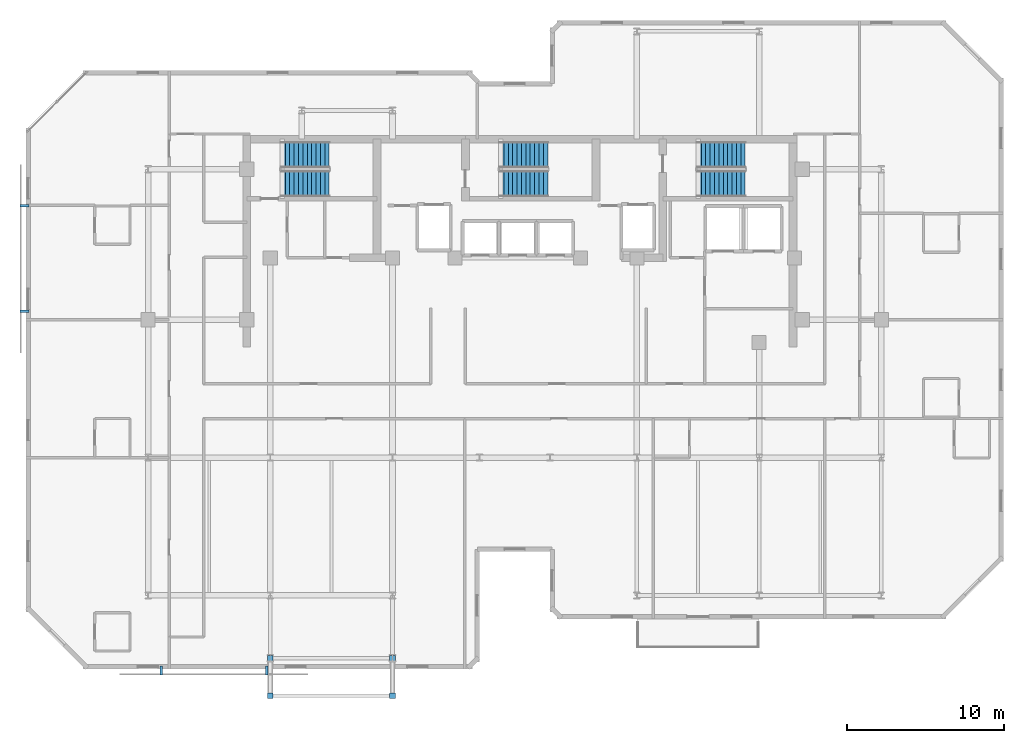
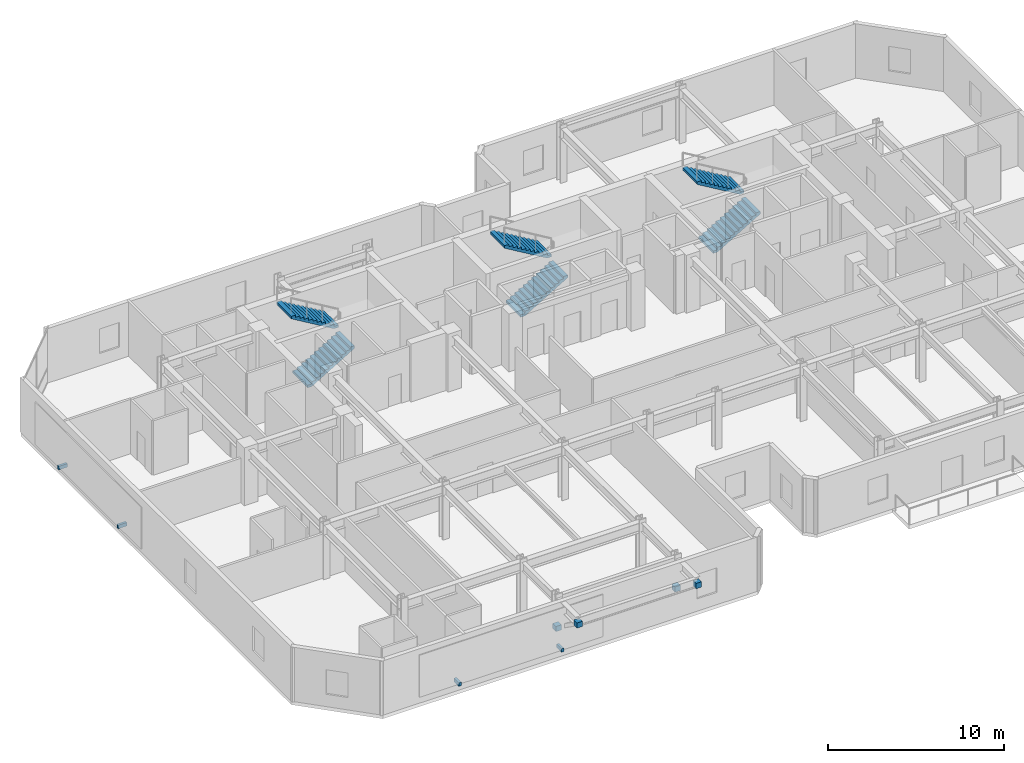
# One storey, part 8 of 10: 8 discrete accessories, 6 stair flights, 3 elements without a shape of their own.
"""IFC4 building model written with IfcOpenShell, lengths in metres."""

from ifc_helpers import new_model, si_unit, direction, frame, origin, origin_2d, place, context, subcontext, project, spatial, polyline, rectangle, outline, extrude, material, type_object, element, aggregate, save


model = new_model("IFC4")

# Units and contexts
model_context = context("Model", 3, precision=1e-05, world=origin(), true_north=direction((0.0, 1.0)))
body_context = subcontext(model_context, "Body", "Model", "MODEL_VIEW")
ifc_project = project(units=[si_unit("LENGTHUNIT", "METRE"), si_unit("AREAUNIT", "SQUARE_METRE"), si_unit("VOLUMEUNIT", "CUBIC_METRE"), si_unit("PLANEANGLEUNIT", "RADIAN"), si_unit("MASSUNIT", "GRAM", prefix="KILO")], contexts=[model_context])

# Site, building, storey
site_placement = place(None, origin())
site = spatial("IfcSite", under=ifc_project, at=site_placement, CompositionType="ELEMENT")
building_placement = place(site_placement, origin())
building = spatial("IfcBuilding", under=site, at=building_placement, Name="Kestravale Grand Hotel", CompositionType="ELEMENT")
storey_placement = place(building_placement, frame((0.0, 0.0, 269.39990234375)))
storey = spatial("IfcBuildingStorey", under=building, at=storey_placement, Name="L67", CompositionType="ELEMENT", Elevation=269.39990234375)

# Stair, stair flights
ifc_material_1 = material(Name="Concrete f'c 45 MPa", Category="concrete")
stair_type = type_object("IfcStairType", Name="ST-CORE-400", PredefinedType="HALF_TURN_STAIR", material=ifc_material_1)
stair_1_placement = place(storey_placement, origin())
stair_1 = element("IfcStair", 1, at=stair_1_placement, inside=storey, type_object=stair_type, Name="L67 ST-1", PredefinedType="HALF_TURN_STAIR")
ifc_material_2 = material(Name="Concrete f'c 45 MPa", Category="concrete")
stair_flight_type = type_object("IfcStairFlightType", Name="STF-CORE-400", PredefinedType="STRAIGHT", material=ifc_material_2)
stair_flight_1_placement = place(storey_placement, frame((24.080078125, 37.489990234375, 0.0), z_axis=(0.0, 0.0, 1.0), x_axis=(1.0, 0.0, 0.0)))
stair_flight_1 = element("IfcStairFlight", 2, at=stair_flight_1_placement, type_object=stair_flight_type, Name="ST-1 flight 1", NumberOfRisers=12, NumberOfTreads=11, PredefinedType="STRAIGHT", RiserHeight=0.166666667, TreadLength=0.28, context=body_context, shape_type="SweptSolid", body=[
    extrude(outline(polyline([(0.0, 0.0), (0.0, 0.166748046875), (0.280029296875, 0.166748046875), (0.280029296875, 0.333251953125), (0.56005859375, 0.333251953125), (0.56005859375, 0.5), (0.840087890625, 0.5), (0.840087890625, 0.666748046875), (1.1201171875, 0.666748046875), (1.1201171875, 0.833251953125), (1.39990234375, 0.833251953125), (1.39990234375, 1.0), (1.679931640625, 1.0), (1.679931640625, 1.166748046875), (1.9599609375, 1.166748046875), (1.9599609375, 1.333251953125), (2.239990234375, 1.333251953125), (2.239990234375, 1.5), (2.52001953125, 1.5), (2.52001953125, 1.666748046875), (2.800048828125, 1.666748046875), (2.800048828125, 1.833251953125), (3.080078125, 1.833251953125), (3.080078125, 2.0), (3.080078125, 1.658935546875), (0.29296875, 0.0), (0.0, 0.0)])), frame((0.0, 0.83984375, 0.0), z_axis=(0.0, -1.0, 0.0), x_axis=(1.0, 0.0, 0.0)), (0.0, 0.0, 1.0), 1.679931640625),
])
stair_flight_2_placement = place(storey_placement, frame((27.159912109375, 39.320068359375, 2.0), z_axis=(0.0, 0.0, 1.0), x_axis=(-1.0, 0.0, 0.0)))
stair_flight_2 = element("IfcStairFlight", 3, at=stair_flight_2_placement, type_object=stair_flight_type, Name="ST-1 flight 2", NumberOfRisers=12, NumberOfTreads=11, PredefinedType="STRAIGHT", RiserHeight=0.166666667, TreadLength=0.28, context=body_context, shape_type="SweptSolid", body=[
    extrude(outline(polyline([(0.0, 0.0), (0.0, 0.166748046875), (0.280029296875, 0.166748046875), (0.280029296875, 0.333251953125), (0.56005859375, 0.333251953125), (0.56005859375, 0.5), (0.840087890625, 0.5), (0.840087890625, 0.666748046875), (1.1201171875, 0.666748046875), (1.1201171875, 0.833251953125), (1.39990234375, 0.833251953125), (1.39990234375, 1.0), (1.679931640625, 1.0), (1.679931640625, 1.166748046875), (1.9599609375, 1.166748046875), (1.9599609375, 1.333251953125), (2.239990234375, 1.333251953125), (2.239990234375, 1.5), (2.52001953125, 1.5), (2.52001953125, 1.666748046875), (2.800048828125, 1.666748046875), (2.800048828125, 1.833251953125), (3.080078125, 1.833251953125), (3.080078125, 2.0), (3.080078125, 1.658935546875), (0.29296875, 0.0), (0.0, 0.0)])), frame((0.0, 0.83984375, 0.0), z_axis=(0.0, -1.0, 0.0), x_axis=(1.0, 0.0, 0.0)), (0.0, 0.0, 1.0), 1.679931640625),
])
aggregate(stair_1, [stair_flight_1, stair_flight_2])

stair_2_placement = place(storey_placement, origin())
stair_2 = element("IfcStair", 4, at=stair_2_placement, inside=storey, type_object=stair_type, Name="L67 ST-2", PredefinedType="HALF_TURN_STAIR")
stair_flight_3_placement = place(storey_placement, frame((38.030029296875, 37.489990234375, 0.0), z_axis=(0.0, 0.0, 1.0), x_axis=(1.0, 0.0, 0.0)))
stair_flight_3 = element("IfcStairFlight", 5, at=stair_flight_3_placement, type_object=stair_flight_type, Name="ST-2 flight 1", NumberOfRisers=12, NumberOfTreads=11, PredefinedType="STRAIGHT", RiserHeight=0.166666667, TreadLength=0.28, context=body_context, shape_type="SweptSolid", body=[
    extrude(outline(polyline([(0.0, 0.0), (0.0, 0.166748046875), (0.280029296875, 0.166748046875), (0.280029296875, 0.333251953125), (0.56005859375, 0.333251953125), (0.56005859375, 0.5), (0.840087890625, 0.5), (0.840087890625, 0.666748046875), (1.1201171875, 0.666748046875), (1.1201171875, 0.833251953125), (1.39990234375, 0.833251953125), (1.39990234375, 1.0), (1.679931640625, 1.0), (1.679931640625, 1.166748046875), (1.9599609375, 1.166748046875), (1.9599609375, 1.333251953125), (2.239990234375, 1.333251953125), (2.239990234375, 1.5), (2.52001953125, 1.5), (2.52001953125, 1.666748046875), (2.800048828125, 1.666748046875), (2.800048828125, 1.833251953125), (3.080078125, 1.833251953125), (3.080078125, 2.0), (3.080078125, 1.658935546875), (0.29296875, 0.0), (0.0, 0.0)])), frame((0.0, 0.83984375, 0.0), z_axis=(0.0, -1.0, 0.0), x_axis=(1.0, 0.0, 0.0)), (0.0, 0.0, 1.0), 1.679931640625),
])
stair_flight_4_placement = place(storey_placement, frame((41.110107421875, 39.320068359375, 2.0), z_axis=(0.0, 0.0, 1.0), x_axis=(-1.0, 0.0, 0.0)))
stair_flight_4 = element("IfcStairFlight", 6, at=stair_flight_4_placement, type_object=stair_flight_type, Name="ST-2 flight 2", NumberOfRisers=12, NumberOfTreads=11, PredefinedType="STRAIGHT", RiserHeight=0.166666667, TreadLength=0.28, context=body_context, shape_type="SweptSolid", body=[
    extrude(outline(polyline([(0.0, 0.0), (0.0, 0.166748046875), (0.280029296875, 0.166748046875), (0.280029296875, 0.333251953125), (0.56005859375, 0.333251953125), (0.56005859375, 0.5), (0.840087890625, 0.5), (0.840087890625, 0.666748046875), (1.1201171875, 0.666748046875), (1.1201171875, 0.833251953125), (1.39990234375, 0.833251953125), (1.39990234375, 1.0), (1.679931640625, 1.0), (1.679931640625, 1.166748046875), (1.9599609375, 1.166748046875), (1.9599609375, 1.333251953125), (2.239990234375, 1.333251953125), (2.239990234375, 1.5), (2.52001953125, 1.5), (2.52001953125, 1.666748046875), (2.800048828125, 1.666748046875), (2.800048828125, 1.833251953125), (3.080078125, 1.833251953125), (3.080078125, 2.0), (3.080078125, 1.658935546875), (0.29296875, 0.0), (0.0, 0.0)])), frame((0.0, 0.83984375, 0.0), z_axis=(0.0, -1.0, 0.0), x_axis=(1.0, 0.0, 0.0)), (0.0, 0.0, 1.0), 1.679931640625),
])
aggregate(stair_2, [stair_flight_3, stair_flight_4])

stair_3_placement = place(storey_placement, origin())
stair_3 = element("IfcStair", 7, at=stair_3_placement, inside=storey, type_object=stair_type, Name="L67 ST-3", PredefinedType="HALF_TURN_STAIR")
stair_flight_5_placement = place(storey_placement, frame((50.6298828125, 37.489990234375, 0.0), z_axis=(0.0, 0.0, 1.0), x_axis=(1.0, 0.0, 0.0)))
stair_flight_5 = element("IfcStairFlight", 8, at=stair_flight_5_placement, type_object=stair_flight_type, Name="ST-3 flight 1", NumberOfRisers=12, NumberOfTreads=11, PredefinedType="STRAIGHT", RiserHeight=0.166666667, TreadLength=0.28, context=body_context, shape_type="SweptSolid", body=[
    extrude(outline(polyline([(0.0, 0.0), (0.0, 0.166748046875), (0.280029296875, 0.166748046875), (0.280029296875, 0.333251953125), (0.56005859375, 0.333251953125), (0.56005859375, 0.5), (0.840087890625, 0.5), (0.840087890625, 0.666748046875), (1.1201171875, 0.666748046875), (1.1201171875, 0.833251953125), (1.39990234375, 0.833251953125), (1.39990234375, 1.0), (1.679931640625, 1.0), (1.679931640625, 1.166748046875), (1.9599609375, 1.166748046875), (1.9599609375, 1.333251953125), (2.239990234375, 1.333251953125), (2.239990234375, 1.5), (2.52001953125, 1.5), (2.52001953125, 1.666748046875), (2.800048828125, 1.666748046875), (2.800048828125, 1.833251953125), (3.080078125, 1.833251953125), (3.080078125, 2.0), (3.080078125, 1.658935546875), (0.29296875, 0.0), (0.0, 0.0)])), frame((0.0, 0.83984375, 0.0), z_axis=(0.0, -1.0, 0.0), x_axis=(1.0, 0.0, 0.0)), (0.0, 0.0, 1.0), 1.679931640625),
])
stair_flight_6_placement = place(storey_placement, frame((53.7099609375, 39.320068359375, 2.0), z_axis=(0.0, 0.0, 1.0), x_axis=(-1.0, 0.0, 0.0)))
stair_flight_6 = element("IfcStairFlight", 9, at=stair_flight_6_placement, type_object=stair_flight_type, Name="ST-3 flight 2", NumberOfRisers=12, NumberOfTreads=11, PredefinedType="STRAIGHT", RiserHeight=0.166666667, TreadLength=0.28, context=body_context, shape_type="SweptSolid", body=[
    extrude(outline(polyline([(0.0, 0.0), (0.0, 0.166748046875), (0.280029296875, 0.166748046875), (0.280029296875, 0.333251953125), (0.56005859375, 0.333251953125), (0.56005859375, 0.5), (0.840087890625, 0.5), (0.840087890625, 0.666748046875), (1.1201171875, 0.666748046875), (1.1201171875, 0.833251953125), (1.39990234375, 0.833251953125), (1.39990234375, 1.0), (1.679931640625, 1.0), (1.679931640625, 1.166748046875), (1.9599609375, 1.166748046875), (1.9599609375, 1.333251953125), (2.239990234375, 1.333251953125), (2.239990234375, 1.5), (2.52001953125, 1.5), (2.52001953125, 1.666748046875), (2.800048828125, 1.666748046875), (2.800048828125, 1.833251953125), (3.080078125, 1.833251953125), (3.080078125, 2.0), (3.080078125, 1.658935546875), (0.29296875, 0.0), (0.0, 0.0)])), frame((0.0, 0.83984375, 0.0), z_axis=(0.0, -1.0, 0.0), x_axis=(1.0, 0.0, 0.0)), (0.0, 0.0, 1.0), 1.679931640625),
])
aggregate(stair_3, [stair_flight_5, stair_flight_6])

# Discrete accessories
ifc_material_3 = material(Name="Steel ASTM A572 Grade 50 hot-dip galvanised bracket", Category="steel")
discrete_accessory_type = type_object("IfcDiscreteAccessoryType", Name="ACC-BRK-STL", PredefinedType="BRACKET", material=ifc_material_3)
for number, where, z_axis, x_axis, name in (
    (10, (23.39990234375, 7.199951171875, 1.39404296875), (0.0, 0.0, 1.0), (1.0, 0.0, 0.0), "L68 terrace strut column bracket 1"),
    (11, (23.39990234375, 4.800048828125, 3.09423828125), (0.0, 0.0, 1.0), (1.0, 0.0, 0.0), "L68 terrace strut beam bracket 1"),
    (12, (31.199951171875, 7.199951171875, 1.39404296875), (0.0, 0.0, 1.0), (1.0, 0.0, 0.0), "L68 terrace strut column bracket 2"),
    (13, (31.199951171875, 4.800048828125, 3.09423828125), (0.0, 0.0, 1.0), (1.0, 0.0, 0.0), "L68 terrace strut beam bracket 2"),
):
    element("IfcDiscreteAccessory", number, at=place(storey_placement, frame(where, z_axis=z_axis, x_axis=x_axis)), inside=storey, type_object=discrete_accessory_type, Name=name, PredefinedType="BRACKET", context=body_context, shape_type="SweptSolid", body=[
        extrude(rectangle(XDim=0.360107421875, YDim=0.360107421875, at=origin_2d()), origin(), (0.0, 0.0, 1.0), 0.360107421875),
    ])
for number, where, z_axis, x_axis, name in (
    (14, (16.43994140625, 6.405029296875, 0.56005859375), (0.0, 0.0, 1.0), (1.0, 0.0, 0.0), "L67 solar screen standoff bracket 1"),
    (15, (23.159912109375, 6.405029296875, 0.56005859375), (0.0, 0.0, 1.0), (1.0, 0.0, 0.0), "L67 solar screen standoff bracket 2"),
    (16, (7.705078125, 36.06005859375, 0.56005859375), (0.0, 0.0, 1.0), (0.0, -1.0, 0.0), "L67 solar screen standoff bracket 1"),
    (17, (7.705078125, 29.340087890625, 0.56005859375), (0.0, 0.0, 1.0), (0.0, -1.0, 0.0), "L67 solar screen standoff bracket 2"),
):
    element("IfcDiscreteAccessory", number, at=place(storey_placement, frame(where, z_axis=z_axis, x_axis=x_axis)), inside=storey, type_object=discrete_accessory_type, Name=name, PredefinedType="BRACKET", context=body_context, shape_type="SweptSolid", body=[
        extrude(rectangle(XDim=0.159912109375, YDim=0.56005859375, at=origin_2d()), origin(), (0.0, 0.0, 1.0), 0.239990234375),
    ])

save(model, "model.ifc")
